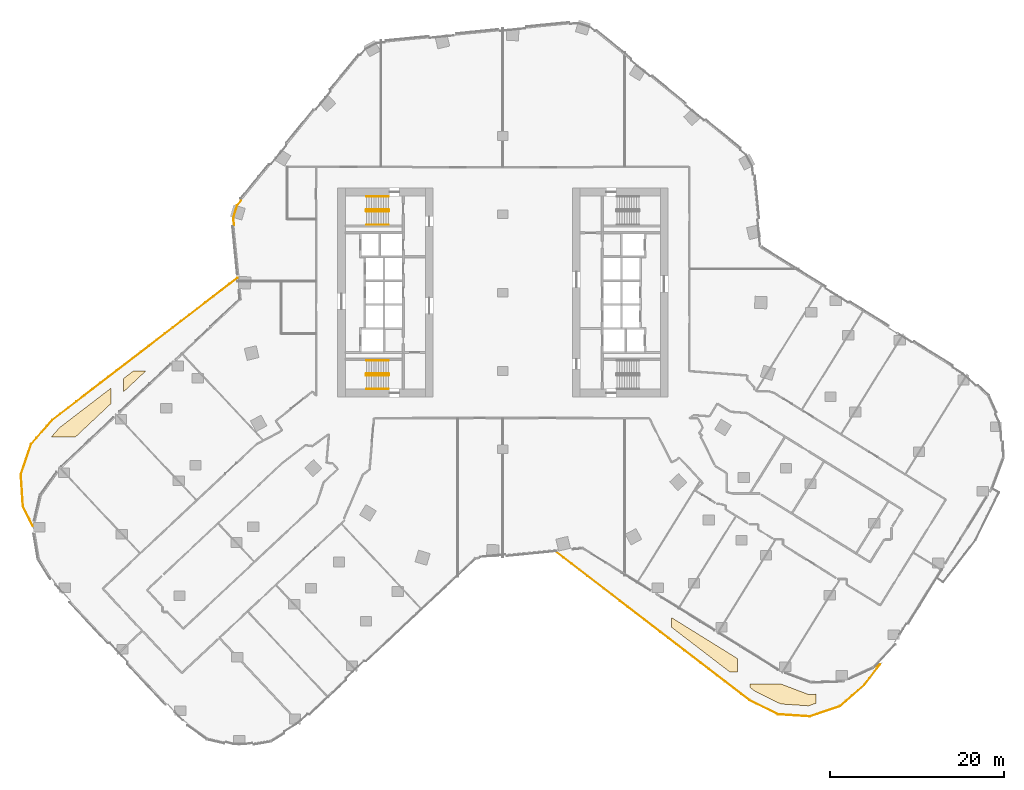
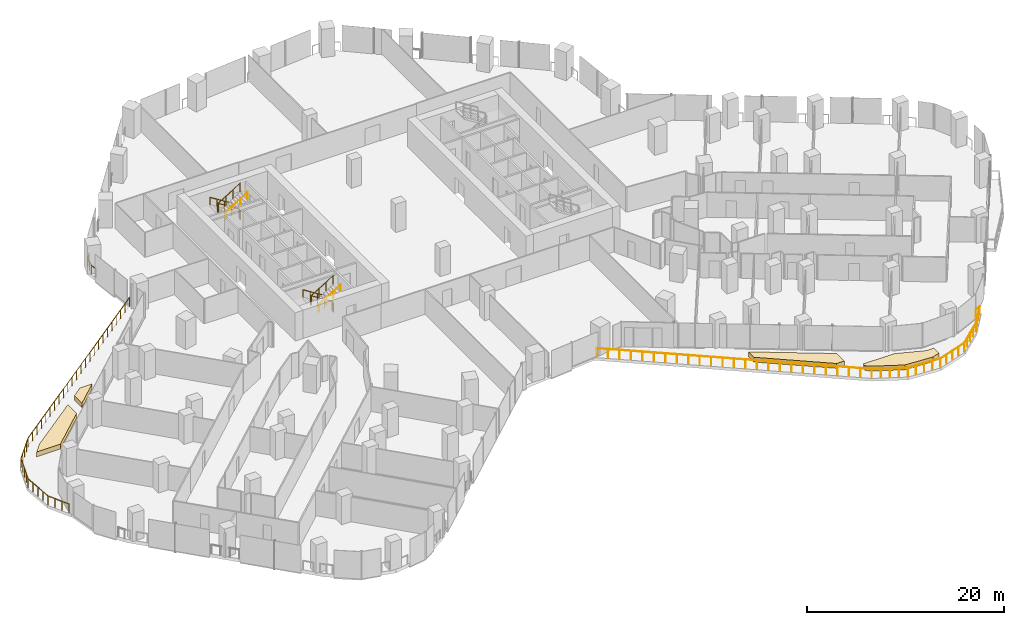
# One storey, part 31 of 34: 9 railings, 4 coverings.
"""IFC4 building model written with IfcOpenShell, lengths in metres."""

from ifc_helpers import new_model, si_unit, direction, frame, origin, origin_2d, place, context, subcontext, project, spatial, polyline, circle, outline, extrude, material, layer, layer_set, type_object, element, save


model = new_model("IFC4")

# Units and contexts
model_context = context("Model", 3, precision=1e-05, world=origin(), true_north=direction((0.0, 1.0)))
body_context = subcontext(model_context, "Body", "Model", "MODEL_VIEW")
ifc_project = project(units=[si_unit("LENGTHUNIT", "METRE"), si_unit("AREAUNIT", "SQUARE_METRE"), si_unit("VOLUMEUNIT", "CUBIC_METRE"), si_unit("PLANEANGLEUNIT", "RADIAN"), si_unit("MASSUNIT", "GRAM", prefix="KILO")], contexts=[model_context])

# Site, building, storey
site_placement = place(None, origin())
site = spatial("IfcSite", under=ifc_project, at=site_placement, CompositionType="ELEMENT")
building_placement = place(site_placement, origin())
building = spatial("IfcBuilding", under=site, at=building_placement, Name="Orlundy Tower", CompositionType="ELEMENT")
storey_placement = place(building_placement, frame((0.0, 0.0, 37.300048828125)))
storey = spatial("IfcBuildingStorey", under=building, at=storey_placement, Name="L07", CompositionType="ELEMENT", Elevation=37.300048828125)

# Coverings
ifc_material_1 = material(Name="Planted soil in precast concrete trough", Category="concrete")
ifc_layer = layer(ifc_material_1, 0.60009765625)
ifc_layer_set = layer_set([ifc_layer], Name="PLANTER box")
covering_type = type_object("IfcCoveringType", Name="PLANTER box", PredefinedType="USERDEFINED", material=ifc_layer_set)
covering_1_placement = place(storey_placement, origin())
element("IfcCovering", 1, at=covering_1_placement, inside=storey, type_object=covering_type, Name="PLANTER L07-10", ObjectType="PLANTER", PredefinedType="USERDEFINED", context=body_context, shape_type="SweptSolid", body=[
    extrude(outline(polyline([(19.39990234375, -38.45703125), (19.39990234375, -37.35107421875), (27.0, -42.069091796875), (27.0, -43.60009765625), (26.10205078125, -43.60009765625), (19.39990234375, -38.45703125)])), origin(), (0.0, 0.0, 1.0), 0.599853515625),
])
covering_2_placement = place(storey_placement, origin())
element("IfcCovering", 2, at=covering_2_placement, inside=storey, type_object=covering_type, Name="PLANTER L07-11", ObjectType="PLANTER", PredefinedType="USERDEFINED", context=body_context, shape_type="SweptSolid", body=[
    extrude(outline(polyline([(35.135986328125, -47.48193359375), (31.952880859375, -47.27294921875), (28.97607421875, -45.804931640625), (28.39990234375, -45.363037109375), (28.39990234375, -45.0), (32.02001953125, -45.0), (35.152099609375, -46.176025390625), (36.0, -46.14794921875), (36.0, -47.18798828125), (35.135986328125, -47.48193359375)])), origin(), (0.0, 0.0, 1.0), 0.599853515625),
])
covering_3_placement = place(storey_placement, origin())
element("IfcCovering", 3, at=covering_3_placement, inside=storey, type_object=covering_type, Name="PLANTER L07-20", ObjectType="PLANTER", PredefinedType="USERDEFINED", context=body_context, shape_type="SweptSolid", body=[
    extrude(outline(polyline([(-50.949951171875, -15.52392578125), (-45.0, -10.9580078125), (-45.0, -12.73095703125), (-49.125, -16.60009765625), (-51.89306640625, -16.60009765625), (-50.949951171875, -15.52392578125)])), origin(), (0.0, 0.0, 1.0), 0.599853515625),
])
covering_4_placement = place(storey_placement, origin())
element("IfcCovering", 4, at=covering_4_placement, inside=storey, type_object=covering_type, Name="PLANTER L07-21", ObjectType="PLANTER", PredefinedType="USERDEFINED", context=body_context, shape_type="SweptSolid", body=[
    extrude(outline(polyline([(-42.447998046875, -9.0), (-41.02294921875, -9.0), (-43.60009765625, -11.4169921875), (-43.60009765625, -9.884033203125), (-42.447998046875, -9.0)])), origin(), (0.0, 0.0, 1.0), 0.599853515625),
])

# Railings
ifc_material_2 = material(Name="Steel balustrade", Category="steel")
railing_type_1 = type_object("IfcRailingType", Name="Stair Guard 1100", PredefinedType="GUARDRAIL", material=ifc_material_2)
railing_1_placement = place(storey_placement, frame((-13.090087890625, 9.5, 0.0)))
element("IfcRailing", 5, at=railing_1_placement, inside=storey, type_object=railing_type_1, Name="L07 ST-W1 stair guard 1", PredefinedType="GUARDRAIL", context=body_context, shape_type="SweptSolid", body=[
    extrude(circle(Radius=0.02392578125, at=origin_2d()), frame((0.0, 0.0, 1.076171875), z_axis=(0.0, -1.0, 0.0), x_axis=(1.0, 0.0, 0.0)), (0.0, 0.0, 1.0), 0.14990234375),
    extrude(circle(Radius=0.02392578125, at=origin_2d()), frame((0.0, -0.14990234375, 1.076171875), z_axis=(-0.18420542264, 0.739530593833, 0.647427882513), x_axis=(-0.970351222016, -0.241699205484, 0.0)), (0.0, 0.0, 1.0), 0.270263671875),
    extrude(circle(Radius=0.02392578125, at=origin_2d()), frame((-0.0498046875, 0.050048828125, 1.2509765625), z_axis=(-0.848007534815, 0.0, 0.529984170421), x_axis=(0.0, -1.0, 0.0)), (0.0, 0.0, 1.0), 2.9716796875),
    extrude(circle(Radius=0.02392578125, at=origin_2d()), frame((-2.56982421875, 0.050048828125, 2.826171875), z_axis=(-0.707106781187, -0.707106781187, 0.0), x_axis=(0.707106781187, -0.707106781187, 0.0)), (0.0, 0.0, 1.0), 0.07080078125),
    extrude(circle(Radius=0.02392578125, at=origin_2d()), frame((-2.619873046875, 0.0, 2.826171875), z_axis=(0.0, -1.0, 0.0), x_axis=(1.0, 0.0, 0.0)), (0.0, 0.0, 1.0), 0.14990234375),
    extrude(circle(Radius=0.02392578125, at=origin_2d()), frame((-2.619873046875, -0.14990234375, 2.826171875), z_axis=(0.265065253269, -0.265065253269, 0.927081885822), x_axis=(0.707106781187, 0.707106781187, 0.0)), (0.0, 0.0, 1.0), 0.188720703125),
    extrude(circle(Radius=0.02392578125, at=origin_2d()), frame((-2.56982421875, -0.199951171875, 3.0009765625), z_axis=(0.848007534815, 0.0, 0.529984170421), x_axis=(0.0, 1.0, 0.0)), (0.0, 0.0, 1.0), 2.9716796875),
    extrude(circle(Radius=0.02099609375, at=origin_2d()), origin(), (0.0, 0.0, 1.0), 1.052001953125),
    extrude(circle(Radius=0.02099609375, at=origin_2d()), frame((0.0, -0.14990234375, 0.0)), (0.0, 0.0, 1.0), 1.052001953125),
    extrude(circle(Radius=0.02099609375, at=origin_2d()), frame((-0.0498046875, 0.050048828125, 0.175048828125)), (0.0, 0.0, 1.0), 1.052001953125),
    extrude(circle(Radius=0.02099609375, at=origin_2d()), frame((-0.889892578125, 0.050048828125, 0.699951171875)), (0.0, 0.0, 1.0), 1.052001953125),
    extrude(circle(Radius=0.02099609375, at=origin_2d()), frame((-1.729736328125, 0.050048828125, 1.22509765625)), (0.0, 0.0, 1.0), 1.052001953125),
    extrude(circle(Radius=0.02099609375, at=origin_2d()), frame((-2.56982421875, 0.050048828125, 1.75)), (0.0, 0.0, 1.0), 1.052001953125),
    extrude(circle(Radius=0.02099609375, at=origin_2d()), frame((-2.619873046875, 0.0, 1.75)), (0.0, 0.0, 1.0), 1.052001953125),
    extrude(circle(Radius=0.02099609375, at=origin_2d()), frame((-2.619873046875, -0.14990234375, 1.75)), (0.0, 0.0, 1.0), 1.052001953125),
    extrude(circle(Radius=0.02099609375, at=origin_2d()), frame((-2.56982421875, -0.199951171875, 1.925048828125)), (0.0, 0.0, 1.0), 1.052001953125),
    extrude(circle(Radius=0.02099609375, at=origin_2d()), frame((-1.729736328125, -0.199951171875, 2.449951171875)), (0.0, 0.0, 1.0), 1.052001953125),
    extrude(circle(Radius=0.02099609375, at=origin_2d()), frame((-0.889892578125, -0.199951171875, 2.97509765625)), (0.0, 0.0, 1.0), 1.052001953125),
    extrude(circle(Radius=0.02099609375, at=origin_2d()), frame((-0.0498046875, -0.199951171875, 3.5)), (0.0, 0.0, 1.0), 1.052001953125),
])
railing_2_placement = place(storey_placement, frame((-13.090087890625, -9.35009765625, 0.0)))
element("IfcRailing", 6, at=railing_2_placement, inside=storey, type_object=railing_type_1, Name="L07 ST-W2 stair guard 1", PredefinedType="GUARDRAIL", context=body_context, shape_type="SweptSolid", body=[
    extrude(circle(Radius=0.02392578125, at=origin_2d()), frame((0.0, 0.0, 1.076171875), z_axis=(0.0, -1.0, 0.0), x_axis=(1.0, 0.0, 0.0)), (0.0, 0.0, 1.0), 0.14990234375),
    extrude(circle(Radius=0.02392578125, at=origin_2d()), frame((0.0, -0.14990234375, 1.076171875), z_axis=(-0.18420542264, 0.739530593833, 0.647427882513), x_axis=(-0.970351222016, -0.241699205484, 0.0)), (0.0, 0.0, 1.0), 0.270263671875),
    extrude(circle(Radius=0.02392578125, at=origin_2d()), frame((-0.0498046875, 0.050048828125, 1.2509765625), z_axis=(-0.848007534815, 0.0, 0.529984170421), x_axis=(0.0, -1.0, 0.0)), (0.0, 0.0, 1.0), 2.9716796875),
    extrude(circle(Radius=0.02392578125, at=origin_2d()), frame((-2.56982421875, 0.050048828125, 2.826171875), z_axis=(-0.707106781187, -0.707106781187, 0.0), x_axis=(0.707106781187, -0.707106781187, 0.0)), (0.0, 0.0, 1.0), 0.07080078125),
    extrude(circle(Radius=0.02392578125, at=origin_2d()), frame((-2.619873046875, 0.0, 2.826171875), z_axis=(0.0, -1.0, 0.0), x_axis=(1.0, 0.0, 0.0)), (0.0, 0.0, 1.0), 0.14990234375),
    extrude(circle(Radius=0.02392578125, at=origin_2d()), frame((-2.619873046875, -0.14990234375, 2.826171875), z_axis=(0.265065253269, -0.265065253269, 0.927081885822), x_axis=(0.707106781187, 0.707106781187, 0.0)), (0.0, 0.0, 1.0), 0.188720703125),
    extrude(circle(Radius=0.02392578125, at=origin_2d()), frame((-2.56982421875, -0.199951171875, 3.0009765625), z_axis=(0.848007534815, 0.0, 0.529984170421), x_axis=(0.0, 1.0, 0.0)), (0.0, 0.0, 1.0), 2.9716796875),
    extrude(circle(Radius=0.02099609375, at=origin_2d()), origin(), (0.0, 0.0, 1.0), 1.052001953125),
    extrude(circle(Radius=0.02099609375, at=origin_2d()), frame((0.0, -0.14990234375, 0.0)), (0.0, 0.0, 1.0), 1.052001953125),
    extrude(circle(Radius=0.02099609375, at=origin_2d()), frame((-0.0498046875, 0.050048828125, 0.175048828125)), (0.0, 0.0, 1.0), 1.052001953125),
    extrude(circle(Radius=0.02099609375, at=origin_2d()), frame((-0.889892578125, 0.050048828125, 0.699951171875)), (0.0, 0.0, 1.0), 1.052001953125),
    extrude(circle(Radius=0.02099609375, at=origin_2d()), frame((-1.729736328125, 0.050048828125, 1.22509765625)), (0.0, 0.0, 1.0), 1.052001953125),
    extrude(circle(Radius=0.02099609375, at=origin_2d()), frame((-2.56982421875, 0.050048828125, 1.75)), (0.0, 0.0, 1.0), 1.052001953125),
    extrude(circle(Radius=0.02099609375, at=origin_2d()), frame((-2.619873046875, 0.0, 1.75)), (0.0, 0.0, 1.0), 1.052001953125),
    extrude(circle(Radius=0.02099609375, at=origin_2d()), frame((-2.619873046875, -0.14990234375, 1.75)), (0.0, 0.0, 1.0), 1.052001953125),
    extrude(circle(Radius=0.02099609375, at=origin_2d()), frame((-2.56982421875, -0.199951171875, 1.925048828125)), (0.0, 0.0, 1.0), 1.052001953125),
    extrude(circle(Radius=0.02099609375, at=origin_2d()), frame((-1.729736328125, -0.199951171875, 2.449951171875)), (0.0, 0.0, 1.0), 1.052001953125),
    extrude(circle(Radius=0.02099609375, at=origin_2d()), frame((-0.889892578125, -0.199951171875, 2.97509765625)), (0.0, 0.0, 1.0), 1.052001953125),
    extrude(circle(Radius=0.02099609375, at=origin_2d()), frame((-0.0498046875, -0.199951171875, 3.5)), (0.0, 0.0, 1.0), 1.052001953125),
])
ifc_material_3 = material(Name="Steel handrail", Category="steel")
railing_type_2 = type_object("IfcRailingType", Name="Stair Handrail 900", PredefinedType="HANDRAIL", material=ifc_material_3)
railing_3_placement = place(storey_placement, frame((-13.139892578125, 11.050048828125, 0.175048828125)))
element("IfcRailing", 7, at=railing_3_placement, inside=storey, type_object=railing_type_2, Name="L07 ST-W1 stair handrail 1", PredefinedType="HANDRAIL", context=body_context, shape_type="SweptSolid", body=[
    extrude(circle(Radius=0.02392578125, at=origin_2d()), frame((0.0, 0.0, 0.8759765625), z_axis=(-0.848007534815, 0.0, 0.529984170421), x_axis=(0.0, -1.0, 0.0)), (0.0, 0.0, 1.0), 2.9716796875),
    extrude(circle(Radius=0.02099609375, at=origin_2d()), origin(), (0.0, 0.0, 1.0), 0.851806640625),
    extrude(circle(Radius=0.02099609375, at=origin_2d()), frame((-0.840087890625, 0.0, 0.52490234375)), (0.0, 0.0, 1.0), 0.851806640625),
    extrude(circle(Radius=0.02099609375, at=origin_2d()), frame((-1.679931640625, 0.0, 1.050048828125)), (0.0, 0.0, 1.0), 0.851806640625),
    extrude(circle(Radius=0.02099609375, at=origin_2d()), frame((-2.52001953125, 0.0, 1.574951171875)), (0.0, 0.0, 1.0), 0.851806640625),
])
railing_4_placement = place(storey_placement, frame((-15.659912109375, 7.800048828125, 1.925048828125)))
element("IfcRailing", 8, at=railing_4_placement, inside=storey, type_object=railing_type_2, Name="L07 ST-W1 stair handrail 2", PredefinedType="HANDRAIL", context=body_context, shape_type="SweptSolid", body=[
    extrude(circle(Radius=0.02392578125, at=origin_2d()), frame((0.0, 0.0, 0.8759765625), z_axis=(0.848007534815, 0.0, 0.529984170421), x_axis=(0.0, 1.0, 0.0)), (0.0, 0.0, 1.0), 2.9716796875),
    extrude(circle(Radius=0.02099609375, at=origin_2d()), origin(), (0.0, 0.0, 1.0), 0.851806640625),
    extrude(circle(Radius=0.02099609375, at=origin_2d()), frame((0.840087890625, 0.0, 0.52490234375)), (0.0, 0.0, 1.0), 0.851806640625),
    extrude(circle(Radius=0.02099609375, at=origin_2d()), frame((1.679931640625, 0.0, 1.050048828125)), (0.0, 0.0, 1.0), 0.851806640625),
    extrude(circle(Radius=0.02099609375, at=origin_2d()), frame((2.52001953125, 0.0, 1.574951171875)), (0.0, 0.0, 1.0), 0.851806640625),
])
railing_5_placement = place(storey_placement, frame((-13.139892578125, -7.800048828125, 0.175048828125)))
element("IfcRailing", 9, at=railing_5_placement, inside=storey, type_object=railing_type_2, Name="L07 ST-W2 stair handrail 1", PredefinedType="HANDRAIL", context=body_context, shape_type="SweptSolid", body=[
    extrude(circle(Radius=0.02392578125, at=origin_2d()), frame((0.0, 0.0, 0.8759765625), z_axis=(-0.848007534815, 0.0, 0.529984170421), x_axis=(0.0, -1.0, 0.0)), (0.0, 0.0, 1.0), 2.9716796875),
    extrude(circle(Radius=0.02099609375, at=origin_2d()), origin(), (0.0, 0.0, 1.0), 0.851806640625),
    extrude(circle(Radius=0.02099609375, at=origin_2d()), frame((-0.840087890625, 0.0, 0.52490234375)), (0.0, 0.0, 1.0), 0.851806640625),
    extrude(circle(Radius=0.02099609375, at=origin_2d()), frame((-1.679931640625, 0.0, 1.050048828125)), (0.0, 0.0, 1.0), 0.851806640625),
    extrude(circle(Radius=0.02099609375, at=origin_2d()), frame((-2.52001953125, 0.0, 1.574951171875)), (0.0, 0.0, 1.0), 0.851806640625),
])
railing_6_placement = place(storey_placement, frame((-15.659912109375, -11.050048828125, 1.925048828125)))
element("IfcRailing", 10, at=railing_6_placement, inside=storey, type_object=railing_type_2, Name="L07 ST-W2 stair handrail 2", PredefinedType="HANDRAIL", context=body_context, shape_type="SweptSolid", body=[
    extrude(circle(Radius=0.02392578125, at=origin_2d()), frame((0.0, 0.0, 0.8759765625), z_axis=(0.848007534815, 0.0, 0.529984170421), x_axis=(0.0, 1.0, 0.0)), (0.0, 0.0, 1.0), 2.9716796875),
    extrude(circle(Radius=0.02099609375, at=origin_2d()), origin(), (0.0, 0.0, 1.0), 0.851806640625),
    extrude(circle(Radius=0.02099609375, at=origin_2d()), frame((0.840087890625, 0.0, 0.52490234375)), (0.0, 0.0, 1.0), 0.851806640625),
    extrude(circle(Radius=0.02099609375, at=origin_2d()), frame((1.679931640625, 0.0, 1.050048828125)), (0.0, 0.0, 1.0), 0.851806640625),
    extrude(circle(Radius=0.02099609375, at=origin_2d()), frame((2.52001953125, 0.0, 1.574951171875)), (0.0, 0.0, 1.0), 0.851806640625),
])
ifc_material_4 = material(Name="Stainless steel bronze finish", Category="steel")
railing_type_3 = type_object("IfcRailingType", Name="TG1 terrace guard", PredefinedType="GUARDRAIL", material=ifc_material_4)
railing_7_placement = place(storey_placement, frame((-30.879638671875, 7.78857421875, 0.0)))
element("IfcRailing", 11, at=railing_7_placement, inside=storey, type_object=railing_type_3, Name="Guard TG-L07-E07", PredefinedType="GUARDRAIL", context=body_context, shape_type="SweptSolid", body=[
    extrude(circle(Radius=0.02490234375, at=origin_2d()), frame((0.0, 0.0, 1.09521484375), z_axis=(-0.098913735318, 0.995096011933, 0.0), x_axis=(-0.995096011933, -0.098913735318, 0.0)), (0.0, 0.0, 1.0), 0.8193359375),
    extrude(circle(Radius=0.02490234375, at=origin_2d()), frame((-0.0810546875, 0.8154296875, 1.09521484375), z_axis=(0.28961752949, 0.957142458891, 0.0), x_axis=(-0.957142458891, 0.28961752949, 0.0)), (0.0, 0.0, 1.0), 1.4599609375),
    extrude(circle(Radius=0.02490234375, at=origin_2d()), frame((0.341796875, 2.212890625, 1.09521484375), z_axis=(0.633839304148, 0.773464761005, 0.0), x_axis=(-0.773464761005, 0.633839304148, 0.0)), (0.0, 0.0, 1.0), 0.729248046875),
    extrude(circle(Radius=0.02001953125, at=origin_2d()), origin(), (0.0, 0.0, 1.0), 1.070068359375),
    extrude(circle(Radius=0.02001953125, at=origin_2d()), frame((-0.0810546875, 0.8154296875, 0.0)), (0.0, 0.0, 1.0), 1.070068359375),
    extrude(circle(Radius=0.02001953125, at=origin_2d()), frame((0.13037109375, 1.51416015625, 0.0)), (0.0, 0.0, 1.0), 1.070068359375),
    extrude(circle(Radius=0.02001953125, at=origin_2d()), frame((0.341796875, 2.212890625, 0.0)), (0.0, 0.0, 1.0), 1.070068359375),
    extrude(circle(Radius=0.02001953125, at=origin_2d()), frame((0.803955078125, 2.77685546875, 0.0)), (0.0, 0.0, 1.0), 1.070068359375),
])
railing_8_placement = place(storey_placement, frame((42.685791015625, -43.025634765625, 0.0)))
element("IfcRailing", 12, at=railing_8_placement, inside=storey, type_object=railing_type_3, Name="Guard TG-L07-10", PredefinedType="GUARDRAIL", context=body_context, shape_type="SweptSolid", body=[
    extrude(circle(Radius=0.02490234375, at=origin_2d()), frame((0.0, 0.0, 1.09521484375), z_axis=(0.910447536501, 0.413624568031, 0.0), x_axis=(-0.413624568031, 0.910447536501, 0.0)), (0.0, 0.0, 1.0), 0.721923828125),
    extrude(circle(Radius=0.02490234375, at=origin_2d()), frame((0.6572265625, 0.298583984375, 1.09521484375), z_axis=(-0.607933926875, -0.7939876199, 0.0), x_axis=(0.7939876199, -0.607933926875, 0.0)), (0.0, 0.0, 1.0), 2.977294921875),
    extrude(circle(Radius=0.02490234375, at=origin_2d()), frame((-1.15283203125, -2.0654296875, 1.09521484375), z_axis=(-0.751798948836, -0.659392402542, 0.0), x_axis=(0.659392402542, -0.751798948836, 0.0)), (0.0, 0.0, 1.0), 3.677734375),
    extrude(circle(Radius=0.02490234375, at=origin_2d()), frame((-3.917724609375, -4.490478515625, 1.09521484375), z_axis=(-0.946904155241, -0.321515972835, 0.0), x_axis=(0.321515972835, -0.946904155241, 0.0)), (0.0, 0.0, 1.0), 3.666748046875),
    extrude(circle(Radius=0.02490234375, at=origin_2d()), frame((-7.389892578125, -5.66943359375, 1.09521484375), z_axis=(-0.997857020298, 0.065432156024, 0.0), x_axis=(-0.065432156024, -0.997857020298, 0.0)), (0.0, 0.0, 1.0), 3.667724609375),
    extrude(circle(Radius=0.02490234375, at=origin_2d()), frame((-11.0498046875, -5.429443359375, 1.09521484375), z_axis=(-0.896857878062, 0.44231882908, 0.0), x_axis=(-0.44231882908, -0.896857878062, 0.0)), (0.0, 0.0, 1.0), 3.676025390625),
    extrude(circle(Radius=0.02490234375, at=origin_2d()), frame((-14.3466796875, -3.803466796875, 1.09521484375), z_axis=(-0.793337703183, 0.608781807143, 0.0), x_axis=(-0.608781807143, -0.793337703183, 0.0)), (0.0, 0.0, 1.0), 28.119873046875),
    extrude(circle(Radius=0.02001953125, at=origin_2d()), origin(), (0.0, 0.0, 1.0), 1.070068359375),
    extrude(circle(Radius=0.02001953125, at=origin_2d()), frame((0.6572265625, 0.298583984375, 0.0)), (0.0, 0.0, 1.0), 1.070068359375),
    extrude(circle(Radius=0.02001953125, at=origin_2d()), frame((0.053955078125, -0.489501953125, 0.0)), (0.0, 0.0, 1.0), 1.070068359375),
    extrude(circle(Radius=0.02001953125, at=origin_2d()), frame((-0.549560546875, -1.27734375, 0.0)), (0.0, 0.0, 1.0), 1.070068359375),
    extrude(circle(Radius=0.02001953125, at=origin_2d()), frame((-1.15283203125, -2.0654296875, 0.0)), (0.0, 0.0, 1.0), 1.070068359375),
    extrude(circle(Radius=0.02001953125, at=origin_2d()), frame((-1.843994140625, -2.671630859375, 0.0)), (0.0, 0.0, 1.0), 1.070068359375),
    extrude(circle(Radius=0.02001953125, at=origin_2d()), frame((-2.53515625, -3.27783203125, 0.0)), (0.0, 0.0, 1.0), 1.070068359375),
    extrude(circle(Radius=0.02001953125, at=origin_2d()), frame((-3.2265625, -3.88427734375, 0.0)), (0.0, 0.0, 1.0), 1.070068359375),
    extrude(circle(Radius=0.02001953125, at=origin_2d()), frame((-3.917724609375, -4.490478515625, 0.0)), (0.0, 0.0, 1.0), 1.070068359375),
    extrude(circle(Radius=0.02001953125, at=origin_2d()), frame((-4.78564453125, -4.78515625, 0.0)), (0.0, 0.0, 1.0), 1.070068359375),
    extrude(circle(Radius=0.02001953125, at=origin_2d()), frame((-5.65380859375, -5.080078125, 0.0)), (0.0, 0.0, 1.0), 1.070068359375),
    extrude(circle(Radius=0.02001953125, at=origin_2d()), frame((-6.52197265625, -5.374755859375, 0.0)), (0.0, 0.0, 1.0), 1.070068359375),
    extrude(circle(Radius=0.02001953125, at=origin_2d()), frame((-7.389892578125, -5.66943359375, 0.0)), (0.0, 0.0, 1.0), 1.070068359375),
    extrude(circle(Radius=0.02001953125, at=origin_2d()), frame((-8.304931640625, -5.609375, 0.0)), (0.0, 0.0, 1.0), 1.070068359375),
    extrude(circle(Radius=0.02001953125, at=origin_2d()), frame((-9.2197265625, -5.54931640625, 0.0)), (0.0, 0.0, 1.0), 1.070068359375),
    extrude(circle(Radius=0.02001953125, at=origin_2d()), frame((-10.134765625, -5.489501953125, 0.0)), (0.0, 0.0, 1.0), 1.070068359375),
    extrude(circle(Radius=0.02001953125, at=origin_2d()), frame((-11.0498046875, -5.429443359375, 0.0)), (0.0, 0.0, 1.0), 1.070068359375),
    extrude(circle(Radius=0.02001953125, at=origin_2d()), frame((-11.8740234375, -5.02294921875, 0.0)), (0.0, 0.0, 1.0), 1.070068359375),
    extrude(circle(Radius=0.02001953125, at=origin_2d()), frame((-12.6982421875, -4.616455078125, 0.0)), (0.0, 0.0, 1.0), 1.070068359375),
    extrude(circle(Radius=0.02001953125, at=origin_2d()), frame((-13.5224609375, -4.2099609375, 0.0)), (0.0, 0.0, 1.0), 1.070068359375),
    extrude(circle(Radius=0.02001953125, at=origin_2d()), frame((-14.3466796875, -3.803466796875, 0.0)), (0.0, 0.0, 1.0), 1.070068359375),
    extrude(circle(Radius=0.02001953125, at=origin_2d()), frame((-15.276123046875, -3.090087890625, 0.0)), (0.0, 0.0, 1.0), 1.070068359375),
    extrude(circle(Radius=0.02001953125, at=origin_2d()), frame((-16.205810546875, -2.376953125, 0.0)), (0.0, 0.0, 1.0), 1.070068359375),
    extrude(circle(Radius=0.02001953125, at=origin_2d()), frame((-17.13525390625, -1.66357421875, 0.0)), (0.0, 0.0, 1.0), 1.070068359375),
    extrude(circle(Radius=0.02001953125, at=origin_2d()), frame((-18.064697265625, -0.9501953125, 0.0)), (0.0, 0.0, 1.0), 1.070068359375),
    extrude(circle(Radius=0.02001953125, at=origin_2d()), frame((-18.994384765625, -0.237060546875, 0.0)), (0.0, 0.0, 1.0), 1.070068359375),
    extrude(circle(Radius=0.02001953125, at=origin_2d()), frame((-19.923828125, 0.476318359375, 0.0)), (0.0, 0.0, 1.0), 1.070068359375),
    extrude(circle(Radius=0.02001953125, at=origin_2d()), frame((-20.853271484375, 1.189453125, 0.0)), (0.0, 0.0, 1.0), 1.070068359375),
    extrude(circle(Radius=0.02001953125, at=origin_2d()), frame((-21.782958984375, 1.90283203125, 0.0)), (0.0, 0.0, 1.0), 1.070068359375),
    extrude(circle(Radius=0.02001953125, at=origin_2d()), frame((-22.71240234375, 2.6162109375, 0.0)), (0.0, 0.0, 1.0), 1.070068359375),
    extrude(circle(Radius=0.02001953125, at=origin_2d()), frame((-23.641845703125, 3.329345703125, 0.0)), (0.0, 0.0, 1.0), 1.070068359375),
    extrude(circle(Radius=0.02001953125, at=origin_2d()), frame((-24.571533203125, 4.042724609375, 0.0)), (0.0, 0.0, 1.0), 1.070068359375),
    extrude(circle(Radius=0.02001953125, at=origin_2d()), frame((-25.5009765625, 4.755859375, 0.0)), (0.0, 0.0, 1.0), 1.070068359375),
    extrude(circle(Radius=0.02001953125, at=origin_2d()), frame((-26.430419921875, 5.46923828125, 0.0)), (0.0, 0.0, 1.0), 1.070068359375),
    extrude(circle(Radius=0.02001953125, at=origin_2d()), frame((-27.360107421875, 6.1826171875, 0.0)), (0.0, 0.0, 1.0), 1.070068359375),
    extrude(circle(Radius=0.02001953125, at=origin_2d()), frame((-28.28955078125, 6.895751953125, 0.0)), (0.0, 0.0, 1.0), 1.070068359375),
    extrude(circle(Radius=0.02001953125, at=origin_2d()), frame((-29.218994140625, 7.609130859375, 0.0)), (0.0, 0.0, 1.0), 1.070068359375),
    extrude(circle(Radius=0.02001953125, at=origin_2d()), frame((-30.148681640625, 8.322509765625, 0.0)), (0.0, 0.0, 1.0), 1.070068359375),
    extrude(circle(Radius=0.02001953125, at=origin_2d()), frame((-31.078125, 9.03564453125, 0.0)), (0.0, 0.0, 1.0), 1.070068359375),
    extrude(circle(Radius=0.02001953125, at=origin_2d()), frame((-32.007568359375, 9.7490234375, 0.0)), (0.0, 0.0, 1.0), 1.070068359375),
    extrude(circle(Radius=0.02001953125, at=origin_2d()), frame((-32.937255859375, 10.46240234375, 0.0)), (0.0, 0.0, 1.0), 1.070068359375),
    extrude(circle(Radius=0.02001953125, at=origin_2d()), frame((-33.86669921875, 11.175537109375, 0.0)), (0.0, 0.0, 1.0), 1.070068359375),
    extrude(circle(Radius=0.02001953125, at=origin_2d()), frame((-34.796142578125, 11.888916015625, 0.0)), (0.0, 0.0, 1.0), 1.070068359375),
    extrude(circle(Radius=0.02001953125, at=origin_2d()), frame((-35.725830078125, 12.60205078125, 0.0)), (0.0, 0.0, 1.0), 1.070068359375),
    extrude(circle(Radius=0.02001953125, at=origin_2d()), frame((-36.6552734375, 13.3154296875, 0.0)), (0.0, 0.0, 1.0), 1.070068359375),
])
railing_9_placement = place(storey_placement, frame((-54.01416015625, -26.81591796875, 0.0)))
element("IfcRailing", 13, at=railing_9_placement, inside=storey, type_object=railing_type_3, Name="Guard TG-L07-20", PredefinedType="GUARDRAIL", context=body_context, shape_type="SweptSolid", body=[
    extrude(circle(Radius=0.02490234375, at=origin_2d()), frame((0.0, 0.0, 1.09521484375), z_axis=(-0.442897773869, 0.896572117513, 0.0), x_axis=(-0.896572117513, -0.442897773869, 0.0)), (0.0, 0.0, 1.0), 2.537353515625),
    extrude(circle(Radius=0.02490234375, at=origin_2d()), frame((-1.123779296875, 2.27490234375, 1.09521484375), z_axis=(-0.065167034082, 0.997874369682, 0.0), x_axis=(-0.997874369682, -0.065167034082, 0.0)), (0.0, 0.0, 1.0), 3.667724609375),
    extrude(circle(Radius=0.02490234375, at=origin_2d()), frame((-1.36279296875, 5.934814453125, 1.09521484375), z_axis=(0.321277151482, 0.9469852121, 0.0), x_axis=(-0.9469852121, 0.321277151482, 0.0)), (0.0, 0.0, 1.0), 3.66650390625),
    extrude(circle(Radius=0.02490234375, at=origin_2d()), frame((-0.184814453125, 9.406982421875, 1.09521484375), z_axis=(0.659392402542, 0.751798948836, 0.0), x_axis=(-0.751798948836, 0.659392402542, 0.0)), (0.0, 0.0, 1.0), 3.677734375),
    extrude(circle(Radius=0.02490234375, at=origin_2d()), frame((2.240234375, 12.171875, 1.09521484375), z_axis=(0.793358765508, 0.608754358663, 0.0), x_axis=(-0.608754358663, 0.793358765508, 0.0)), (0.0, 0.0, 1.0), 26.84423828125),
    extrude(circle(Radius=0.02001953125, at=origin_2d()), origin(), (0.0, 0.0, 1.0), 1.070068359375),
    extrude(circle(Radius=0.02001953125, at=origin_2d()), frame((-0.37451171875, 0.75830078125, 0.0)), (0.0, 0.0, 1.0), 1.070068359375),
    extrude(circle(Radius=0.02001953125, at=origin_2d()), frame((-0.749267578125, 1.5166015625, 0.0)), (0.0, 0.0, 1.0), 1.070068359375),
    extrude(circle(Radius=0.02001953125, at=origin_2d()), frame((-1.123779296875, 2.27490234375, 0.0)), (0.0, 0.0, 1.0), 1.070068359375),
    extrude(circle(Radius=0.02001953125, at=origin_2d()), frame((-1.18359375, 3.18994140625, 0.0)), (0.0, 0.0, 1.0), 1.070068359375),
    extrude(circle(Radius=0.02001953125, at=origin_2d()), frame((-1.2431640625, 4.10498046875, 0.0)), (0.0, 0.0, 1.0), 1.070068359375),
    extrude(circle(Radius=0.02001953125, at=origin_2d()), frame((-1.302978515625, 5.019775390625, 0.0)), (0.0, 0.0, 1.0), 1.070068359375),
    extrude(circle(Radius=0.02001953125, at=origin_2d()), frame((-1.36279296875, 5.934814453125, 0.0)), (0.0, 0.0, 1.0), 1.070068359375),
    extrude(circle(Radius=0.02001953125, at=origin_2d()), frame((-1.068359375, 6.802734375, 0.0)), (0.0, 0.0, 1.0), 1.070068359375),
    extrude(circle(Radius=0.02001953125, at=origin_2d()), frame((-0.77392578125, 7.6708984375, 0.0)), (0.0, 0.0, 1.0), 1.070068359375),
    extrude(circle(Radius=0.02001953125, at=origin_2d()), frame((-0.479248046875, 8.5390625, 0.0)), (0.0, 0.0, 1.0), 1.070068359375),
    extrude(circle(Radius=0.02001953125, at=origin_2d()), frame((-0.184814453125, 9.406982421875, 0.0)), (0.0, 0.0, 1.0), 1.070068359375),
    extrude(circle(Radius=0.02001953125, at=origin_2d()), frame((0.42138671875, 10.09814453125, 0.0)), (0.0, 0.0, 1.0), 1.070068359375),
    extrude(circle(Radius=0.02001953125, at=origin_2d()), frame((1.02783203125, 10.78955078125, 0.0)), (0.0, 0.0, 1.0), 1.070068359375),
    extrude(circle(Radius=0.02001953125, at=origin_2d()), frame((1.634033203125, 11.480712890625, 0.0)), (0.0, 0.0, 1.0), 1.070068359375),
    extrude(circle(Radius=0.02001953125, at=origin_2d()), frame((2.240234375, 12.171875, 0.0)), (0.0, 0.0, 1.0), 1.070068359375),
    extrude(circle(Radius=0.02001953125, at=origin_2d()), frame((3.166259765625, 12.88232421875, 0.0)), (0.0, 0.0, 1.0), 1.070068359375),
    extrude(circle(Radius=0.02001953125, at=origin_2d()), frame((4.092041015625, 13.5927734375, 0.0)), (0.0, 0.0, 1.0), 1.070068359375),
    extrude(circle(Radius=0.02001953125, at=origin_2d()), frame((5.01806640625, 14.303466796875, 0.0)), (0.0, 0.0, 1.0), 1.070068359375),
    extrude(circle(Radius=0.02001953125, at=origin_2d()), frame((5.944091796875, 15.013916015625, 0.0)), (0.0, 0.0, 1.0), 1.070068359375),
    extrude(circle(Radius=0.02001953125, at=origin_2d()), frame((6.8701171875, 15.724365234375, 0.0)), (0.0, 0.0, 1.0), 1.070068359375),
    extrude(circle(Radius=0.02001953125, at=origin_2d()), frame((7.7958984375, 16.434814453125, 0.0)), (0.0, 0.0, 1.0), 1.070068359375),
    extrude(circle(Radius=0.02001953125, at=origin_2d()), frame((8.721923828125, 17.1455078125, 0.0)), (0.0, 0.0, 1.0), 1.070068359375),
    extrude(circle(Radius=0.02001953125, at=origin_2d()), frame((9.64794921875, 17.85595703125, 0.0)), (0.0, 0.0, 1.0), 1.070068359375),
    extrude(circle(Radius=0.02001953125, at=origin_2d()), frame((10.573974609375, 18.56640625, 0.0)), (0.0, 0.0, 1.0), 1.070068359375),
    extrude(circle(Radius=0.02001953125, at=origin_2d()), frame((11.499755859375, 19.27685546875, 0.0)), (0.0, 0.0, 1.0), 1.070068359375),
    extrude(circle(Radius=0.02001953125, at=origin_2d()), frame((12.42578125, 19.9873046875, 0.0)), (0.0, 0.0, 1.0), 1.070068359375),
    extrude(circle(Radius=0.02001953125, at=origin_2d()), frame((13.351806640625, 20.697998046875, 0.0)), (0.0, 0.0, 1.0), 1.070068359375),
    extrude(circle(Radius=0.02001953125, at=origin_2d()), frame((14.27783203125, 21.408447265625, 0.0)), (0.0, 0.0, 1.0), 1.070068359375),
    extrude(circle(Radius=0.02001953125, at=origin_2d()), frame((15.20361328125, 22.118896484375, 0.0)), (0.0, 0.0, 1.0), 1.070068359375),
    extrude(circle(Radius=0.02001953125, at=origin_2d()), frame((16.129638671875, 22.829345703125, 0.0)), (0.0, 0.0, 1.0), 1.070068359375),
    extrude(circle(Radius=0.02001953125, at=origin_2d()), frame((17.0556640625, 23.539794921875, 0.0)), (0.0, 0.0, 1.0), 1.070068359375),
    extrude(circle(Radius=0.02001953125, at=origin_2d()), frame((17.981689453125, 24.25048828125, 0.0)), (0.0, 0.0, 1.0), 1.070068359375),
    extrude(circle(Radius=0.02001953125, at=origin_2d()), frame((18.907470703125, 24.9609375, 0.0)), (0.0, 0.0, 1.0), 1.070068359375),
    extrude(circle(Radius=0.02001953125, at=origin_2d()), frame((19.83349609375, 25.67138671875, 0.0)), (0.0, 0.0, 1.0), 1.070068359375),
    extrude(circle(Radius=0.02001953125, at=origin_2d()), frame((20.759521484375, 26.3818359375, 0.0)), (0.0, 0.0, 1.0), 1.070068359375),
    extrude(circle(Radius=0.02001953125, at=origin_2d()), frame((21.685546875, 27.092529296875, 0.0)), (0.0, 0.0, 1.0), 1.070068359375),
    extrude(circle(Radius=0.02001953125, at=origin_2d()), frame((22.611328125, 27.802978515625, 0.0)), (0.0, 0.0, 1.0), 1.070068359375),
    extrude(circle(Radius=0.02001953125, at=origin_2d()), frame((23.537353515625, 28.513427734375, 0.0)), (0.0, 0.0, 1.0), 1.070068359375),
])

save(model, "model.ifc")
